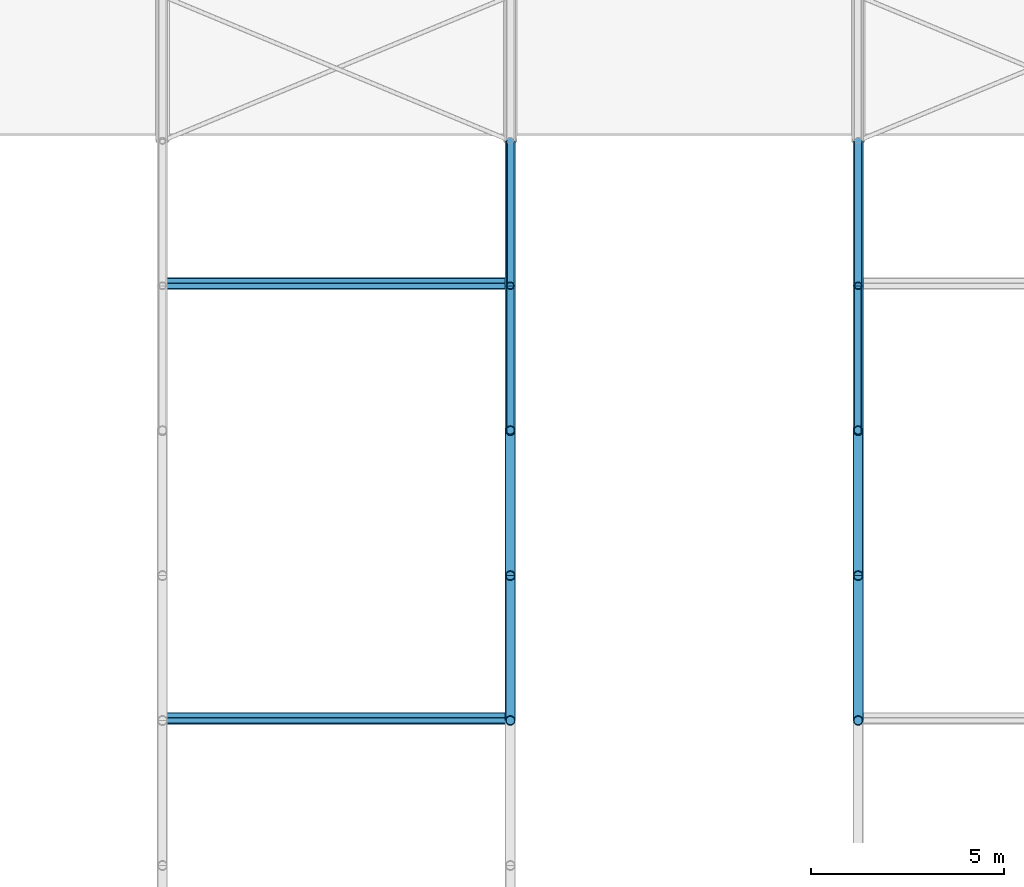
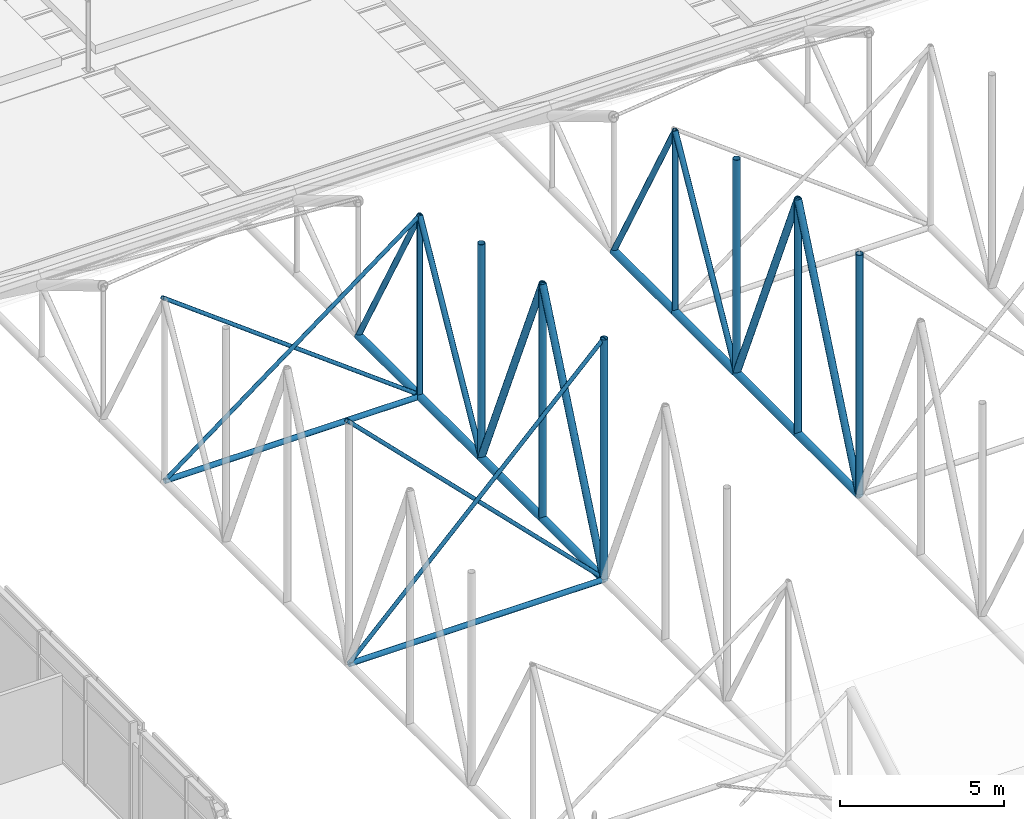
# One storey, part 32 of 153: 30 members.
"""IFC4 building model written with IfcOpenShell, lengths in metres."""

from ifc_helpers import new_model, si_unit, direction, frame, origin, origin_2d, place, context, subcontext, project, spatial, hollow_circle, extrude, material, material_profile, profile_set, type_object, element, save


model = new_model("IFC4")

# Units and contexts
model_context = context("Model", 3, precision=1e-05, world=origin(), true_north=direction((0.0, 1.0)))
body_context = subcontext(model_context, "Body", "Model", "MODEL_VIEW")
ifc_project = project(units=[si_unit("LENGTHUNIT", "METRE"), si_unit("AREAUNIT", "SQUARE_METRE"), si_unit("VOLUMEUNIT", "CUBIC_METRE"), si_unit("PLANEANGLEUNIT", "RADIAN"), si_unit("MASSUNIT", "GRAM", prefix="KILO")], contexts=[model_context])

# Site, building, storey
site_placement = place(None, origin())
site = spatial("IfcSite", under=ifc_project, at=site_placement, CompositionType="ELEMENT")
building_placement = place(site_placement, origin())
building = spatial("IfcBuilding", under=site, at=building_placement, Name="Baradari Gate Terminus", CompositionType="ELEMENT")
storey_placement = place(building_placement, frame((0.0, 0.0, 11.699951171875)))
storey = spatial("IfcBuildingStorey", under=building, at=storey_placement, Name="L02", CompositionType="ELEMENT", Elevation=11.699951171875)

# Members
ifc_material_1 = material(Name="Steel S355", Category="steel")
ifc_material_profile_1 = material_profile(ifc_material_1, hollow_circle(Radius=0.136474609375, WallThickness=0.012451171875, at=origin_2d()), Name="CHS 273x12.5")
ifc_profile_set_1 = profile_set([ifc_material_profile_1], Name="Steel S355")
member_type_1 = type_object("IfcMemberType", Name="Shed bottom chord CHS 273x12.5", PredefinedType="CHORD", material=ifc_profile_set_1)
for number, where, z_axis, x_axis, name in (
    (1, (108.0, 58.5, 0.136474609375), (0.0, 1.0, 0.0), (-1.0, 0.0, 0.0), "TR/L02/S108-BC06"),
    (2, (108.0, 62.25, 0.136474609375), (0.0, 1.0, 0.0), (-1.0, 0.0, 0.0), "TR/L02/S108-BC07"),
    (3, (108.0, 66.0, 0.136474609375), (0.0, 1.0, 0.0), (-1.0, 0.0, 0.0), "TR/L02/S108-BC08"),
    (4, (108.0, 69.75, 0.136474609375), (0.0, 1.0, 0.0), (-1.0, 0.0, 0.0), "TR/L02/S108-BC09"),
    (5, (117.0, 58.5, 0.136474609375), (0.0, 1.0, 0.0), (-1.0, 0.0, 0.0), "TR/L02/S117-BC06"),
    (6, (117.0, 62.25, 0.136474609375), (0.0, 1.0, 0.0), (-1.0, 0.0, 0.0), "TR/L02/S117-BC07"),
    (7, (117.0, 66.0, 0.136474609375), (0.0, 1.0, 0.0), (-1.0, 0.0, 0.0), "TR/L02/S117-BC08"),
    (8, (117.0, 69.75, 0.136474609375), (0.0, 1.0, 0.0), (-1.0, 0.0, 0.0), "TR/L02/S117-BC09"),
):
    element("IfcMember", number, at=place(storey_placement, frame(where, z_axis=z_axis, x_axis=x_axis)), inside=storey, type_object=member_type_1, Name=name, PredefinedType="CHORD", context=body_context, shape_type="SweptSolid", body=[
        extrude(hollow_circle(Radius=0.136474609375, WallThickness=0.012451171875, at=origin_2d()), origin(), (0.0, 0.0, 1.0), 3.75),
    ])
ifc_material_2 = material(Name="Steel S355", Category="steel")
ifc_material_profile_2 = material_profile(ifc_material_2, hollow_circle(Radius=0.096923828125, WallThickness=0.008056640625, at=origin_2d()), Name="CHS 193.7x8")
ifc_profile_set_2 = profile_set([ifc_material_profile_2], Name="Steel S355")
member_type_2 = type_object("IfcMemberType", Name="Shed bottom strut CHS 193.7x8", PredefinedType="STRUT", material=ifc_profile_set_2)
for number, where, z_axis, x_axis, name in (
    (9, (99.0, 58.5, 0.136474609375), (1.0, 0.0, 0.0), (0.0, 1.0, 0.0), "TR/L02/B108-ST06"),
    (10, (99.0, 69.75, 0.136474609375), (1.0, 0.0, 0.0), (0.0, 1.0, 0.0), "TR/L02/B108-ST09"),
):
    element("IfcMember", number, at=place(storey_placement, frame(where, z_axis=z_axis, x_axis=x_axis)), inside=storey, type_object=member_type_2, Name=name, PredefinedType="STRUT", context=body_context, shape_type="SweptSolid", body=[
        extrude(hollow_circle(Radius=0.096923828125, WallThickness=0.008056640625, at=origin_2d()), origin(), (0.0, 0.0, 1.0), 9.0),
    ])
ifc_material_3 = material(Name="Steel S355", Category="steel")
ifc_material_profile_3 = material_profile(ifc_material_3, hollow_circle(Radius=0.096923828125, WallThickness=0.008056640625, at=origin_2d()), Name="CHS 193.7x8")
ifc_profile_set_3 = profile_set([ifc_material_profile_3], Name="Steel S355")
member_type_3 = type_object("IfcMemberType", Name="Shed truss diagonal CHS 193.7x8", PredefinedType="BRACE", material=ifc_profile_set_3)
for number, where, z_axis, x_axis, name in (
    (11, (108.0, 69.75, 6.886474609375), (0.0, -0.485642931179, -0.874157276122), (1.0, 0.0, 0.0), "TR/L02/S108-SD08"),
    (12, (108.0, 69.75, 6.886474609375), (0.0, 0.485642931179, -0.874157276122), (-1.0, 0.0, 0.0), "TR/L02/S108-SD09"),
    (13, (117.0, 69.75, 6.886474609375), (0.0, -0.485642931179, -0.874157276122), (1.0, 0.0, 0.0), "TR/L02/S117-SD08"),
    (14, (117.0, 69.75, 6.886474609375), (0.0, 0.485642931179, -0.874157276122), (-1.0, 0.0, 0.0), "TR/L02/S117-SD09"),
):
    element("IfcMember", number, at=place(storey_placement, frame(where, z_axis=z_axis, x_axis=x_axis)), inside=storey, type_object=member_type_3, Name=name, PredefinedType="BRACE", context=body_context, shape_type="SweptSolid", body=[
        extrude(hollow_circle(Radius=0.096923828125, WallThickness=0.008056640625, at=origin_2d()), origin(), (0.0, 0.0, 1.0), 7.7216796875),
    ])
ifc_material_4 = material(Name="Steel S355", Category="steel")
ifc_material_profile_4 = material_profile(ifc_material_4, hollow_circle(Radius=0.122314453125, WallThickness=0.010009765625, at=origin_2d()), Name="CHS 244.5x10")
ifc_profile_set_4 = profile_set([ifc_material_profile_4], Name="Steel S355")
member_type_4 = type_object("IfcMemberType", Name="Shed truss diagonal CHS 244.5x10", PredefinedType="BRACE", material=ifc_profile_set_4)
for number, where, z_axis, x_axis, name in (
    (15, (108.0, 62.25, 8.886474609375), (0.0, -0.393919298579, -0.919145030018), (1.0, 0.0, 0.0), "TR/L02/S108-SD06"),
    (16, (108.0, 62.25, 8.886474609375), (0.0, 0.393919298579, -0.919145030018), (-1.0, 0.0, 0.0), "TR/L02/S108-SD07"),
    (17, (117.0, 62.25, 8.886474609375), (0.0, -0.393919298579, -0.919145030018), (1.0, 0.0, 0.0), "TR/L02/S117-SD06"),
    (18, (117.0, 62.25, 8.886474609375), (0.0, 0.393919298579, -0.919145030018), (-1.0, 0.0, 0.0), "TR/L02/S117-SD07"),
):
    element("IfcMember", number, at=place(storey_placement, frame(where, z_axis=z_axis, x_axis=x_axis)), inside=storey, type_object=member_type_4, Name=name, PredefinedType="BRACE", context=body_context, shape_type="SweptSolid", body=[
        extrude(hollow_circle(Radius=0.122314453125, WallThickness=0.010009765625, at=origin_2d()), origin(), (0.0, 0.0, 1.0), 9.519775390625),
    ])
ifc_material_5 = material(Name="Steel S355", Category="steel")
ifc_material_profile_5 = material_profile(ifc_material_5, hollow_circle(Radius=0.096923828125, WallThickness=0.008056640625, at=origin_2d()), Name="CHS 193.7x8")
ifc_profile_set_5 = profile_set([ifc_material_profile_5], Name="Steel S355")
member_type_5 = type_object("IfcMemberType", Name="Shed truss post CHS 193.7x8", PredefinedType="POST", material=ifc_profile_set_5)
for number, where, z_axis, x_axis, name in (
    (19, (108.0, 69.75, 0.136474609375), (0.0, 0.0, 1.0), (1.0, 0.0, 0.0), "TR/L02/S108-SP09"),
    (20, (117.0, 69.75, 0.136474609375), (0.0, 0.0, 1.0), (1.0, 0.0, 0.0), "TR/L02/S117-SP09"),
):
    element("IfcMember", number, at=place(storey_placement, frame(where, z_axis=z_axis, x_axis=x_axis)), inside=storey, type_object=member_type_5, Name=name, PredefinedType="POST", context=body_context, shape_type="SweptSolid", body=[
        extrude(hollow_circle(Radius=0.096923828125, WallThickness=0.008056640625, at=origin_2d()), origin(), (0.0, 0.0, 1.0), 6.75),
    ])
ifc_material_6 = material(Name="Steel S355", Category="steel")
ifc_material_profile_6 = material_profile(ifc_material_6, hollow_circle(Radius=0.122314453125, WallThickness=0.010009765625, at=origin_2d()), Name="CHS 244.5x10")
ifc_profile_set_6 = profile_set([ifc_material_profile_6], Name="Steel S355")
member_type_6 = type_object("IfcMemberType", Name="Shed truss post CHS 244.5x10", PredefinedType="POST", material=ifc_profile_set_6)
member_1_placement = place(storey_placement, frame((108.0, 58.5, 0.136474609375), z_axis=(0.0, 0.0, 1.0), x_axis=(1.0, 0.0, 0.0)))
element("IfcMember", 21, at=member_1_placement, inside=storey, type_object=member_type_6, Name="TR/L02/S108-SP06", PredefinedType="POST", context=body_context, shape_type="SweptSolid", body=[
    extrude(hollow_circle(Radius=0.122314453125, WallThickness=0.010009765625, at=origin_2d()), origin(), (0.0, 0.0, 1.0), 9.0),
])
member_2_placement = place(storey_placement, frame((108.0, 62.25, 0.136474609375), z_axis=(0.0, 0.0, 1.0), x_axis=(1.0, 0.0, 0.0)))
element("IfcMember", 22, at=member_2_placement, inside=storey, type_object=member_type_6, Name="TR/L02/S108-SP07", PredefinedType="POST", context=body_context, shape_type="SweptSolid", body=[
    extrude(hollow_circle(Radius=0.122314453125, WallThickness=0.010009765625, at=origin_2d()), origin(), (0.0, 0.0, 1.0), 8.75),
])
member_3_placement = place(storey_placement, frame((108.0, 66.0, 0.136474609375), z_axis=(0.0, 0.0, 1.0), x_axis=(1.0, 0.0, 0.0)))
element("IfcMember", 23, at=member_3_placement, inside=storey, type_object=member_type_6, Name="TR/L02/S108-SP08", PredefinedType="POST", context=body_context, shape_type="SweptSolid", body=[
    extrude(hollow_circle(Radius=0.122314453125, WallThickness=0.010009765625, at=origin_2d()), origin(), (0.0, 0.0, 1.0), 8.0),
])
member_4_placement = place(storey_placement, frame((117.0, 58.5, 0.136474609375), z_axis=(0.0, 0.0, 1.0), x_axis=(1.0, 0.0, 0.0)))
element("IfcMember", 24, at=member_4_placement, inside=storey, type_object=member_type_6, Name="TR/L02/S117-SP06", PredefinedType="POST", context=body_context, shape_type="SweptSolid", body=[
    extrude(hollow_circle(Radius=0.122314453125, WallThickness=0.010009765625, at=origin_2d()), origin(), (0.0, 0.0, 1.0), 9.0),
])
member_5_placement = place(storey_placement, frame((117.0, 62.25, 0.136474609375), z_axis=(0.0, 0.0, 1.0), x_axis=(1.0, 0.0, 0.0)))
element("IfcMember", 25, at=member_5_placement, inside=storey, type_object=member_type_6, Name="TR/L02/S117-SP07", PredefinedType="POST", context=body_context, shape_type="SweptSolid", body=[
    extrude(hollow_circle(Radius=0.122314453125, WallThickness=0.010009765625, at=origin_2d()), origin(), (0.0, 0.0, 1.0), 8.75),
])
member_6_placement = place(storey_placement, frame((117.0, 66.0, 0.136474609375), z_axis=(0.0, 0.0, 1.0), x_axis=(1.0, 0.0, 0.0)))
element("IfcMember", 26, at=member_6_placement, inside=storey, type_object=member_type_6, Name="TR/L02/S117-SP08", PredefinedType="POST", context=body_context, shape_type="SweptSolid", body=[
    extrude(hollow_circle(Radius=0.122314453125, WallThickness=0.010009765625, at=origin_2d()), origin(), (0.0, 0.0, 1.0), 8.0),
])
ifc_material_7 = material(Name="Steel S355", Category="steel")
ifc_material_profile_7 = material_profile(ifc_material_7, hollow_circle(Radius=0.06982421875, WallThickness=0.008056640625, at=origin_2d()), Name="CHS 139.7x8")
ifc_profile_set_7 = profile_set([ifc_material_profile_7], Name="Steel S355")
member_type_7 = type_object("IfcMemberType", Name="Shed vertical brace CHS 139.7x8", PredefinedType="BRACE", material=ifc_profile_set_7)
for number, where, z_axis, x_axis, name in (
    (27, (99.0, 58.5, 0.136474609375), (0.707106781187, 0.0, 0.707106781187), (0.0, 1.0, 0.0), "TR/L02/B108-VB06A"),
    (28, (99.0, 58.6396484375, 9.136474609375), (0.707106781187, 0.0, -0.707106781187), (0.0, 1.0, 0.0), "TR/L02/B108-VB06B"),
):
    element("IfcMember", number, at=place(storey_placement, frame(where, z_axis=z_axis, x_axis=x_axis)), inside=storey, type_object=member_type_7, Name=name, PredefinedType="BRACE", context=body_context, shape_type="SweptSolid", body=[
        extrude(hollow_circle(Radius=0.06982421875, WallThickness=0.008056640625, at=origin_2d()), origin(), (0.0, 0.0, 1.0), 12.72802734375),
    ])
for number, where, z_axis, x_axis, name in (
    (29, (99.0, 69.75, 0.136474609375), (0.8, 0.0, 0.6), (0.0, 1.0, 0.0), "TR/L02/B108-VB09A"),
    (30, (99.0, 69.8896484375, 6.886474609375), (0.8, 0.0, -0.6), (0.0, 1.0, 0.0), "TR/L02/B108-VB09B"),
):
    element("IfcMember", number, at=place(storey_placement, frame(where, z_axis=z_axis, x_axis=x_axis)), inside=storey, type_object=member_type_7, Name=name, PredefinedType="BRACE", context=body_context, shape_type="SweptSolid", body=[
        extrude(hollow_circle(Radius=0.06982421875, WallThickness=0.008056640625, at=origin_2d()), origin(), (0.0, 0.0, 1.0), 11.25),
    ])

save(model, "model.ifc")
